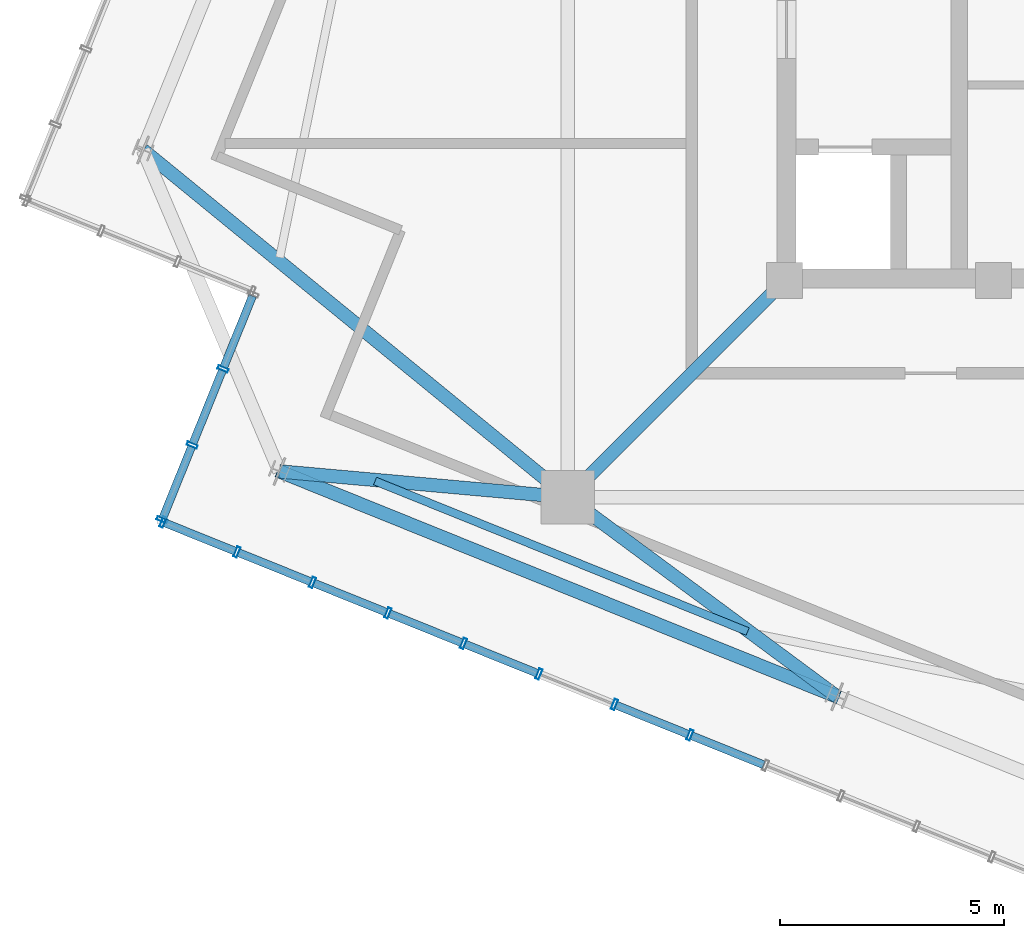
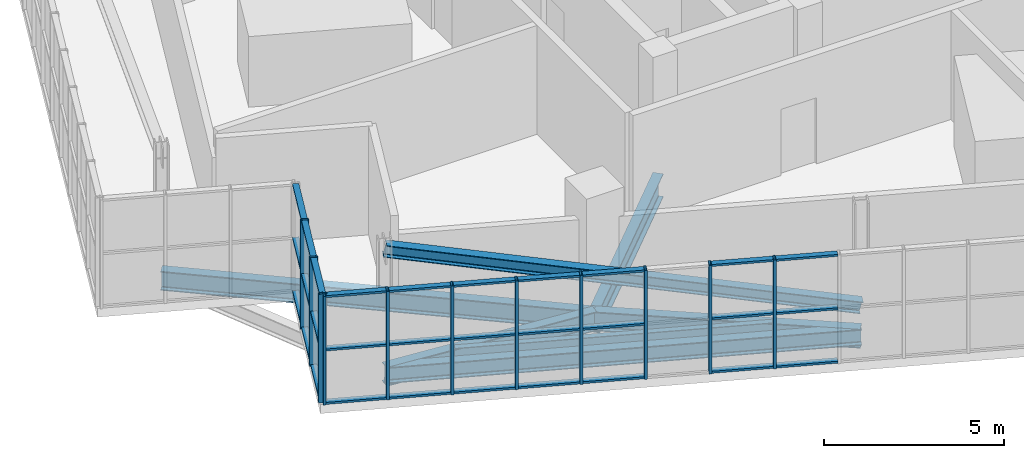
# One storey, part 3 of 26: 42 members, 6 beams, 2 elements without a shape of their own.
"""IFC4 building model written with IfcOpenShell, lengths in metres."""

from ifc_helpers import new_model, si_unit, direction, frame, origin, origin_2d, place, context, subcontext, project, spatial, hollow_rectangle, i_section, extrude, source, transform, mapped, material, layer, layer_set, material_profile, profile_set, type_object, element, aggregate, save


model = new_model("IFC4")

# Units and contexts
model_context = context("Model", 3, precision=1e-05, world=origin(), true_north=direction((0.0, 1.0)))
body_context = subcontext(model_context, "Body", "Model", "MODEL_VIEW")
ifc_project = project(units=[si_unit("LENGTHUNIT", "METRE"), si_unit("AREAUNIT", "SQUARE_METRE"), si_unit("VOLUMEUNIT", "CUBIC_METRE"), si_unit("PLANEANGLEUNIT", "RADIAN"), si_unit("MASSUNIT", "GRAM", prefix="KILO"), si_unit("THERMODYNAMICTEMPERATUREUNIT", "KELVIN")], contexts=[model_context])

# Site, building, storey
site_placement = place(None, origin())
site = spatial("IfcSite", under=ifc_project, at=site_placement, CompositionType="ELEMENT")
building_placement = place(site_placement, origin())
building = spatial("IfcBuilding", under=site, at=building_placement, Name="Kosmvard Interchange Tower", CompositionType="ELEMENT")
storey_placement = place(building_placement, frame((0.0, 0.0, 325.60009765625)))
storey = spatial("IfcBuildingStorey", under=building, at=storey_placement, Name="L80", CompositionType="ELEMENT", Elevation=325.60009765625)

# Beam
ifc_material_1 = material(Name="Steel S355", Category="steel")
ifc_material_profile_1 = material_profile(ifc_material_1, i_section(OverallWidth=0.300048828125, OverallDepth=0.800048828125, WebThickness=0.017578125, FlangeThickness=0.032958984375, FilletRadius=0.027099609375, at=origin_2d()), Name="HEB 800")
ifc_profile_set_1 = profile_set([ifc_material_profile_1], Name="Steel S355")
beam_type_1 = type_object("IfcBeamType", Name="Primary Mega-Frame Girder HEB 800 S355", PredefinedType="BEAM", material=ifc_profile_set_1)
shared_shape_1 = source(origin(), body_context, "Body", "SweptSolid", [
    extrude(i_section(OverallWidth=0.300048828125, OverallDepth=0.800048828125, WebThickness=0.017578125, FlangeThickness=0.032958984375, FilletRadius=0.027099609375, at=origin_2d()), origin(), (0.0, 0.0, 1.0), 6.83203125),
])
beam_1_placement = place(storey_placement, frame((-8.25, -8.25, -0.7001953125), z_axis=(-0.707106781187, -0.707106781187, 0.0), x_axis=(0.707106781187, -0.707106781187, 0.0)))
element("IfcBeam", 1, at=beam_1_placement, inside=storey, type_object=beam_type_1, Name="L80 Radial Mega-Frame Girder 1", PredefinedType="BEAM", context=body_context, shape_type="MappedRepresentation", body=[
    mapped(shared_shape_1, transform((0.0, 0.0, 0.0), scale=1.0)),
])

# Member
ifc_material_profile_2 = material_profile(ifc_material_1, i_section(OverallWidth=0.300048828125, OverallDepth=0.39990234375, WebThickness=0.013427734375, FlangeThickness=0.02392578125, FilletRadius=0.027099609375, at=origin_2d()), Name="HEB 400")
ifc_profile_set_2 = profile_set([ifc_material_profile_2], Name="Steel S355")
member_type_1 = type_object("IfcMemberType", Name="Lantern Crown Diagrid Brace HEB 400 S355", PredefinedType="BRACE", material=ifc_profile_set_2)
shared_shape_2 = source(origin(), body_context, "Body", "SweptSolid", [
    extrude(i_section(OverallWidth=0.300048828125, OverallDepth=0.39990234375, WebThickness=0.013427734375, FlangeThickness=0.02392578125, FilletRadius=0.027099609375, at=origin_2d()), origin(), (0.0, 0.0, 1.0), 13.78369140625),
])
member_1_placement = place(storey_placement, frame((-7.080078125, -17.523681640625, 0.419921875), z_axis=(-0.901373372792, 0.364162635972, 0.234332279859), x_axis=(-0.374592580972, -0.927189515839, 0.0)))
element("IfcMember", 2, at=member_1_placement, inside=storey, type_object=member_type_1, Name="L80 Crown Lantern Diagrid Brace W1", PredefinedType="BRACE", context=body_context, shape_type="MappedRepresentation", body=[
    mapped(shared_shape_2, transform((0.0, 0.0, 0.0), scale=1.0)),
])

# Beams
ifc_material_profile_3 = material_profile(ifc_material_1, i_section(OverallWidth=0.300048828125, OverallDepth=0.550048828125, WebThickness=0.014892578125, FlangeThickness=0.029052734375, FilletRadius=0.027099609375, at=origin_2d()), Name="HEB 550")
ifc_profile_set_3 = profile_set([ifc_material_profile_3], Name="Steel S355")
beam_type_2 = type_object("IfcBeamType", Name="Crown Ring Cap Girder HEB 550 S355", PredefinedType="BEAM", material=ifc_profile_set_3)
shared_shape_3 = source(origin(), body_context, "Body", "SweptSolid", [
    extrude(i_section(OverallWidth=0.300048828125, OverallDepth=0.550048828125, WebThickness=0.014892578125, FlangeThickness=0.029052734375, FilletRadius=0.027099609375, at=origin_2d()), origin(), (0.0, 0.0, 1.0), 13.39990234375),
])
beam_2_placement = place(storey_placement, frame((-19.50439453125, -12.504150390625, -0.5751953125), z_axis=(0.927189515839, -0.374592580972, 0.0), x_axis=(0.374592580972, 0.927189515839, 0.0)))
element("IfcBeam", 3, at=beam_2_placement, inside=storey, type_object=beam_type_2, Name="BM-L80-PR10", PredefinedType="BEAM", context=body_context, shape_type="MappedRepresentation", body=[
    mapped(shared_shape_3, transform((0.0, 0.0, 0.0), scale=1.0)),
])
ifc_material_profile_4 = material_profile(ifc_material_1, i_section(OverallWidth=0.300048828125, OverallDepth=0.64990234375, WebThickness=0.01611328125, FlangeThickness=0.031005859375, FilletRadius=0.027099609375, at=origin_2d()), Name="HEB 650")
ifc_profile_set_4 = profile_set([ifc_material_profile_4], Name="Steel S355")
beam_type_3 = type_object("IfcBeamType", Name="Primary Floor Girder HEB 650 S355", PredefinedType="BEAM", material=ifc_profile_set_4)
shared_shape_4 = source(origin(), body_context, "Body", "SweptSolid", [
    extrude(i_section(OverallWidth=0.300048828125, OverallDepth=0.64990234375, WebThickness=0.01611328125, FlangeThickness=0.031005859375, FilletRadius=0.027099609375, at=origin_2d()), origin(), (0.0, 0.0, 1.0), 6.44921875),
])
beam_3_placement = place(storey_placement, frame((-13.0810546875, -13.0810546875, -0.625), z_axis=(-0.995990982197, 0.089453694068, 0.0), x_axis=(-0.089453694068, -0.995990982197, 0.0)))
element("IfcBeam", 4, at=beam_3_placement, inside=storey, type_object=beam_type_3, Name="BM-L80-RD10", PredefinedType="BEAM", context=body_context, shape_type="MappedRepresentation", body=[
    mapped(shared_shape_4, transform((0.0, 0.0, 0.0), scale=1.0)),
])
shared_shape_5 = source(origin(), body_context, "Body", "SweptSolid", [
    extrude(i_section(OverallWidth=0.300048828125, OverallDepth=0.64990234375, WebThickness=0.01611328125, FlangeThickness=0.031005859375, FilletRadius=0.027099609375, at=origin_2d()), origin(), (0.0, 0.0, 1.0), 7.466552734375),
])
beam_4_placement = place(storey_placement, frame((-13.0810546875, -13.0810546875, -0.625), z_axis=(0.803719929879, -0.595007793491, 0.0), x_axis=(0.595007793491, 0.803719929879, 0.0)))
element("IfcBeam", 5, at=beam_4_placement, inside=storey, type_object=beam_type_3, Name="BM-L80-RD11", PredefinedType="BEAM", context=body_context, shape_type="MappedRepresentation", body=[
    mapped(shared_shape_5, transform((0.0, 0.0, 0.0), scale=1.0)),
])
shared_shape_6 = source(origin(), body_context, "Body", "SweptSolid", [
    extrude(i_section(OverallWidth=0.300048828125, OverallDepth=0.64990234375, WebThickness=0.01611328125, FlangeThickness=0.031005859375, FilletRadius=0.027099609375, at=origin_2d()), origin(), (0.0, 0.0, 1.0), 12.22265625),
])
beam_5_placement = place(storey_placement, frame((-13.0810546875, -13.0810546875, -0.625), z_axis=(-0.774163725034, 0.632985408079, 0.0), x_axis=(-0.632985408079, -0.774163725034, 0.0)))
element("IfcBeam", 6, at=beam_5_placement, inside=storey, type_object=beam_type_3, Name="BM-L80-RD09", PredefinedType="BEAM", context=body_context, shape_type="MappedRepresentation", body=[
    mapped(shared_shape_6, transform((0.0, 0.0, 0.0), scale=1.0)),
])
ifc_material_profile_5 = material_profile(ifc_material_1, i_section(OverallWidth=0.179931640625, OverallDepth=0.39990234375, WebThickness=0.008544921875, FlangeThickness=0.013427734375, FilletRadius=0.02099609375, at=origin_2d()), Name="IPE 400")
ifc_profile_set_5 = profile_set([ifc_material_profile_5], Name="Steel S355")
beam_type_4 = type_object("IfcBeamType", Name="Upper-Zone Floor Joist IPE 400 S355", PredefinedType="JOIST", material=ifc_profile_set_5)
shared_shape_7 = source(origin(), body_context, "Body", "SweptSolid", [
    extrude(i_section(OverallWidth=0.179931640625, OverallDepth=0.39990234375, WebThickness=0.008544921875, FlangeThickness=0.013427734375, FilletRadius=0.02099609375, at=origin_2d()), origin(), (0.0, 0.0, 1.0), 8.9521484375),
])
beam_6_placement = place(storey_placement, frame((-17.374755859375, -12.71875, -0.5), z_axis=(0.927194118723, -0.374581187736, 0.0), x_axis=(0.374581187736, 0.927194118723, 0.0)))
element("IfcBeam", 7, at=beam_6_placement, inside=storey, type_object=beam_type_4, Name="BM-L80-FJ07", PredefinedType="JOIST", context=body_context, shape_type="MappedRepresentation", body=[
    mapped(shared_shape_7, transform((0.0, 0.0, 0.0), scale=1.0)),
])

# Curtain wall, members
ifc_material_2 = material(Name="Architectural anodised aluminium", Category="aluminium")
ifc_layer = layer(ifc_material_2, 0.25, Name="Architectural anodised aluminium")
ifc_layer_set = layer_set([ifc_layer], Name="Architectural anodised aluminium")
curtain_wall_type = type_object("IfcCurtainWallType", Name="CW-6 Illuminated Crown Lantern Curtain Wall", PredefinedType="NOTDEFINED", material=ifc_layer_set)
curtain_wall_1_placement = place(storey_placement, origin())
curtain_wall_1 = element("IfcCurtainWall", 8, at=curtain_wall_1_placement, inside=storey, type_object=curtain_wall_type, Name="L80 Crown Lantern Glazing Face 09", PredefinedType="NOTDEFINED")
ifc_material_profile_6 = material_profile(ifc_material_2, hollow_rectangle(XDim=0.239990234375, YDim=0.080078125, WallThickness=0.006103515625, at=origin_2d()), Name="CWM 240x80x6")
ifc_profile_set_6 = profile_set([ifc_material_profile_6], Name="Architectural anodised aluminium")
member_type_2 = type_object("IfcMemberType", Name="Lantern & Observation CW Mullion 240x80 Aluminium", PredefinedType="MULLION", material=ifc_profile_set_6)
shared_shape_8 = source(origin(), body_context, "Body", "SweptSolid", [
    extrude(hollow_rectangle(XDim=0.239990234375, YDim=0.080078125, WallThickness=0.006103515625, at=origin_2d()), origin(), (0.0, 0.0, 1.0), 3.699951171875),
])
member_2_placement = place(storey_placement, frame((-20.760498046875, -10.220458984375, 0.0), z_axis=(0.0, 0.0, 1.0), x_axis=(0.927183891631, -0.374606501678, 0.0)))
member_2 = element("IfcMember", 9, at=member_2_placement, type_object=member_type_2, Name="CW-6 mullion 2", PredefinedType="MULLION", context=body_context, shape_type="MappedRepresentation", body=[
    mapped(shared_shape_8, transform((0.0, 0.0, 0.0), scale=1.0)),
])
member_3_placement = place(storey_placement, frame((-21.447265625, -11.92041015625, 0.0), z_axis=(0.0, 0.0, 1.0), x_axis=(0.927183891631, -0.374606501678, 0.0)))
member_3 = element("IfcMember", 10, at=member_3_placement, type_object=member_type_2, Name="CW-6 mullion 3", PredefinedType="MULLION", context=body_context, shape_type="MappedRepresentation", body=[
    mapped(shared_shape_8, transform((0.0, 0.0, 0.0), scale=1.0)),
])
member_4_placement = place(storey_placement, frame((-22.118896484375, -13.583251953125, 0.0), z_axis=(0.0, 0.0, 1.0), x_axis=(0.927183891631, -0.374606501678, 0.0)))
member_4 = element("IfcMember", 11, at=member_4_placement, type_object=member_type_2, Name="CW-6 mullion 4", PredefinedType="MULLION", context=body_context, shape_type="MappedRepresentation", body=[
    mapped(shared_shape_8, transform((0.0, 0.0, 0.0), scale=1.0)),
])

curtain_wall_2_placement = place(storey_placement, origin())
curtain_wall_2 = element("IfcCurtainWall", 12, at=curtain_wall_2_placement, inside=storey, type_object=curtain_wall_type, Name="L80 Crown Lantern Glazing Face 10", PredefinedType="NOTDEFINED")
member_5_placement = place(storey_placement, frame((-22.096923828125, -13.63525390625, 0.0), z_axis=(0.0, 0.0, 1.0), x_axis=(0.374606584758, 0.927183858065, 0.0)))
member_5 = element("IfcMember", 13, at=member_5_placement, type_object=member_type_2, Name="CW-6 mullion 1", PredefinedType="MULLION", context=body_context, shape_type="MappedRepresentation", body=[
    mapped(shared_shape_8, transform((0.0, 0.0, 0.0), scale=1.0)),
])
member_6_placement = place(storey_placement, frame((-20.451904296875, -14.2998046875, 0.0), z_axis=(0.0, 0.0, 1.0), x_axis=(0.374606584758, 0.927183858065, 0.0)))
member_6 = element("IfcMember", 14, at=member_6_placement, type_object=member_type_2, Name="CW-6 mullion 2", PredefinedType="MULLION", context=body_context, shape_type="MappedRepresentation", body=[
    mapped(shared_shape_8, transform((0.0, 0.0, 0.0), scale=1.0)),
])
member_7_placement = place(storey_placement, frame((-18.77001953125, -14.9794921875, 0.0), z_axis=(0.0, 0.0, 1.0), x_axis=(0.374606584758, 0.927183858065, 0.0)))
member_7 = element("IfcMember", 15, at=member_7_placement, type_object=member_type_2, Name="CW-6 mullion 3", PredefinedType="MULLION", context=body_context, shape_type="MappedRepresentation", body=[
    mapped(shared_shape_8, transform((0.0, 0.0, 0.0), scale=1.0)),
])
member_8_placement = place(storey_placement, frame((-17.087890625, -15.658935546875, 0.0), z_axis=(0.0, 0.0, 1.0), x_axis=(0.374606584758, 0.927183858065, 0.0)))
member_8 = element("IfcMember", 16, at=member_8_placement, type_object=member_type_2, Name="CW-6 mullion 4", PredefinedType="MULLION", context=body_context, shape_type="MappedRepresentation", body=[
    mapped(shared_shape_8, transform((0.0, 0.0, 0.0), scale=1.0)),
])
member_9_placement = place(storey_placement, frame((-15.40576171875, -16.338623046875, 0.0), z_axis=(0.0, 0.0, 1.0), x_axis=(0.374606584758, 0.927183858065, 0.0)))
member_9 = element("IfcMember", 17, at=member_9_placement, type_object=member_type_2, Name="CW-6 mullion 5", PredefinedType="MULLION", context=body_context, shape_type="MappedRepresentation", body=[
    mapped(shared_shape_8, transform((0.0, 0.0, 0.0), scale=1.0)),
])
member_10_placement = place(storey_placement, frame((-13.723876953125, -17.01806640625, 0.0), z_axis=(0.0, 0.0, 1.0), x_axis=(0.374606584758, 0.927183858065, 0.0)))
member_10 = element("IfcMember", 18, at=member_10_placement, type_object=member_type_2, Name="CW-6 mullion 6", PredefinedType="MULLION", context=body_context, shape_type="MappedRepresentation", body=[
    mapped(shared_shape_8, transform((0.0, 0.0, 0.0), scale=1.0)),
])
member_11_placement = place(storey_placement, frame((-12.041748046875, -17.69775390625, 0.0), z_axis=(0.0, 0.0, 1.0), x_axis=(0.374606584758, 0.927183858065, 0.0)))
member_11 = element("IfcMember", 19, at=member_11_placement, type_object=member_type_2, Name="CW-6 mullion 7", PredefinedType="MULLION", context=body_context, shape_type="MappedRepresentation", body=[
    mapped(shared_shape_8, transform((0.0, 0.0, 0.0), scale=1.0)),
])
member_12_placement = place(storey_placement, frame((-10.35986328125, -18.377197265625, 0.0), z_axis=(0.0, 0.0, 1.0), x_axis=(0.374606584758, 0.927183858065, 0.0)))
member_12 = element("IfcMember", 20, at=member_12_placement, type_object=member_type_2, Name="CW-6 mullion 8", PredefinedType="MULLION", context=body_context, shape_type="MappedRepresentation", body=[
    mapped(shared_shape_8, transform((0.0, 0.0, 0.0), scale=1.0)),
])
ifc_material_profile_7 = material_profile(ifc_material_2, hollow_rectangle(XDim=0.179931640625, YDim=0.070068359375, WallThickness=0.0048828125, at=origin_2d()), Name="CWT 180x70x5")
ifc_profile_set_7 = profile_set([ifc_material_profile_7], Name="Architectural anodised aluminium")
member_type_3 = type_object("IfcMemberType", Name="Heavy Lantern CW Transom 180x70 Aluminium", PredefinedType="USERDEFINED", material=ifc_profile_set_7)
shared_shape_9 = source(origin(), body_context, "Body", "SweptSolid", [
    extrude(hollow_rectangle(XDim=0.179931640625, YDim=0.070068359375, WallThickness=0.0048828125, at=origin_2d()), origin(), (0.0, 0.0, 1.0), 1.694091796875),
])
member_13_placement = place(storey_placement, frame((-22.059814453125, -13.650146484375, 0.034912109375), z_axis=(0.927159064032, -0.374667946298, 0.0), x_axis=(0.374667946298, 0.927159064032, 0.0)))
member_13 = element("IfcMember", 21, at=member_13_placement, type_object=member_type_3, Name="CW-6 transom 1.1", ObjectType="TRANSOM", PredefinedType="USERDEFINED", context=body_context, shape_type="MappedRepresentation", body=[
    mapped(shared_shape_9, transform((0.0, 0.0, 0.0), scale=1.0)),
])
member_14_placement = place(storey_placement, frame((-22.059814453125, -13.650146484375, 1.849853515625), z_axis=(0.927159064032, -0.374667946298, 0.0), x_axis=(0.374667946298, 0.927159064032, 0.0)))
member_14 = element("IfcMember", 22, at=member_14_placement, type_object=member_type_3, Name="CW-6 transom 1.2", ObjectType="TRANSOM", PredefinedType="USERDEFINED", context=body_context, shape_type="MappedRepresentation", body=[
    mapped(shared_shape_9, transform((0.0, 0.0, 0.0), scale=1.0)),
])
member_15_placement = place(storey_placement, frame((-22.059814453125, -13.650146484375, 3.664794921875), z_axis=(0.927159064032, -0.374667946298, 0.0), x_axis=(0.374667946298, 0.927159064032, 0.0)))
member_15 = element("IfcMember", 23, at=member_15_placement, type_object=member_type_3, Name="CW-6 transom 1.3", ObjectType="TRANSOM", PredefinedType="USERDEFINED", context=body_context, shape_type="MappedRepresentation", body=[
    mapped(shared_shape_9, transform((0.0, 0.0, 0.0), scale=1.0)),
])
shared_shape_10 = source(origin(), body_context, "Body", "SweptSolid", [
    extrude(hollow_rectangle(XDim=0.179931640625, YDim=0.070068359375, WallThickness=0.0048828125, at=origin_2d()), origin(), (0.0, 0.0, 1.0), 1.734130859375),
])
member_16_placement = place(storey_placement, frame((-20.414794921875, -14.314697265625, 0.034912109375), z_axis=(0.927179782522, -0.374616671924, 0.0), x_axis=(0.374616671924, 0.927179782522, 0.0)))
member_16 = element("IfcMember", 24, at=member_16_placement, type_object=member_type_3, Name="CW-6 transom 2.1", ObjectType="TRANSOM", PredefinedType="USERDEFINED", context=body_context, shape_type="MappedRepresentation", body=[
    mapped(shared_shape_10, transform((0.0, 0.0, 0.0), scale=1.0)),
])
member_17_placement = place(storey_placement, frame((-20.414794921875, -14.314697265625, 1.849853515625), z_axis=(0.927179782522, -0.374616671924, 0.0), x_axis=(0.374616671924, 0.927179782522, 0.0)))
member_17 = element("IfcMember", 25, at=member_17_placement, type_object=member_type_3, Name="CW-6 transom 2.2", ObjectType="TRANSOM", PredefinedType="USERDEFINED", context=body_context, shape_type="MappedRepresentation", body=[
    mapped(shared_shape_10, transform((0.0, 0.0, 0.0), scale=1.0)),
])
member_18_placement = place(storey_placement, frame((-20.414794921875, -14.314697265625, 3.664794921875), z_axis=(0.927179782522, -0.374616671924, 0.0), x_axis=(0.374616671924, 0.927179782522, 0.0)))
member_18 = element("IfcMember", 26, at=member_18_placement, type_object=member_type_3, Name="CW-6 transom 2.3", ObjectType="TRANSOM", PredefinedType="USERDEFINED", context=body_context, shape_type="MappedRepresentation", body=[
    mapped(shared_shape_10, transform((0.0, 0.0, 0.0), scale=1.0)),
])
member_19_placement = place(storey_placement, frame((-18.73291015625, -14.994384765625, 0.034912109375), z_axis=(0.927179782522, -0.374616671924, 0.0), x_axis=(0.374616671924, 0.927179782522, 0.0)))
member_19 = element("IfcMember", 27, at=member_19_placement, type_object=member_type_3, Name="CW-6 transom 3.1", ObjectType="TRANSOM", PredefinedType="USERDEFINED", context=body_context, shape_type="MappedRepresentation", body=[
    mapped(shared_shape_10, transform((0.0, 0.0, 0.0), scale=1.0)),
])
member_20_placement = place(storey_placement, frame((-18.73291015625, -14.994384765625, 1.849853515625), z_axis=(0.927179782522, -0.374616671924, 0.0), x_axis=(0.374616671924, 0.927179782522, 0.0)))
member_20 = element("IfcMember", 28, at=member_20_placement, type_object=member_type_3, Name="CW-6 transom 3.2", ObjectType="TRANSOM", PredefinedType="USERDEFINED", context=body_context, shape_type="MappedRepresentation", body=[
    mapped(shared_shape_10, transform((0.0, 0.0, 0.0), scale=1.0)),
])
member_21_placement = place(storey_placement, frame((-18.73291015625, -14.994384765625, 3.664794921875), z_axis=(0.927179782522, -0.374616671924, 0.0), x_axis=(0.374616671924, 0.927179782522, 0.0)))
member_21 = element("IfcMember", 29, at=member_21_placement, type_object=member_type_3, Name="CW-6 transom 3.3", ObjectType="TRANSOM", PredefinedType="USERDEFINED", context=body_context, shape_type="MappedRepresentation", body=[
    mapped(shared_shape_10, transform((0.0, 0.0, 0.0), scale=1.0)),
])
member_22_placement = place(storey_placement, frame((-17.05078125, -15.674072265625, 0.034912109375), z_axis=(0.927228675447, -0.374495638732, 0.0), x_axis=(0.374495638732, 0.927228675447, 0.0)))
member_22 = element("IfcMember", 30, at=member_22_placement, type_object=member_type_3, Name="CW-6 transom 4.1", ObjectType="TRANSOM", PredefinedType="USERDEFINED", context=body_context, shape_type="MappedRepresentation", body=[
    mapped(shared_shape_10, transform((0.0, 0.0, 0.0), scale=1.0)),
])
member_23_placement = place(storey_placement, frame((-17.05078125, -15.674072265625, 1.849853515625), z_axis=(0.927228675447, -0.374495638732, 0.0), x_axis=(0.374495638732, 0.927228675447, 0.0)))
member_23 = element("IfcMember", 31, at=member_23_placement, type_object=member_type_3, Name="CW-6 transom 4.2", ObjectType="TRANSOM", PredefinedType="USERDEFINED", context=body_context, shape_type="MappedRepresentation", body=[
    mapped(shared_shape_10, transform((0.0, 0.0, 0.0), scale=1.0)),
])
member_24_placement = place(storey_placement, frame((-17.05078125, -15.674072265625, 3.664794921875), z_axis=(0.927228675447, -0.374495638732, 0.0), x_axis=(0.374495638732, 0.927228675447, 0.0)))
member_24 = element("IfcMember", 32, at=member_24_placement, type_object=member_type_3, Name="CW-6 transom 4.3", ObjectType="TRANSOM", PredefinedType="USERDEFINED", context=body_context, shape_type="MappedRepresentation", body=[
    mapped(shared_shape_10, transform((0.0, 0.0, 0.0), scale=1.0)),
])
member_25_placement = place(storey_placement, frame((-15.368896484375, -16.353515625, 0.034912109375), z_axis=(0.927179782522, -0.374616671924, 0.0), x_axis=(0.374616671924, 0.927179782522, 0.0)))
member_25 = element("IfcMember", 33, at=member_25_placement, type_object=member_type_3, Name="CW-6 transom 5.1", ObjectType="TRANSOM", PredefinedType="USERDEFINED", context=body_context, shape_type="MappedRepresentation", body=[
    mapped(shared_shape_10, transform((0.0, 0.0, 0.0), scale=1.0)),
])
member_26_placement = place(storey_placement, frame((-15.368896484375, -16.353515625, 1.849853515625), z_axis=(0.927179782522, -0.374616671924, 0.0), x_axis=(0.374616671924, 0.927179782522, 0.0)))
member_26 = element("IfcMember", 34, at=member_26_placement, type_object=member_type_3, Name="CW-6 transom 5.2", ObjectType="TRANSOM", PredefinedType="USERDEFINED", context=body_context, shape_type="MappedRepresentation", body=[
    mapped(shared_shape_10, transform((0.0, 0.0, 0.0), scale=1.0)),
])
member_27_placement = place(storey_placement, frame((-15.368896484375, -16.353515625, 3.664794921875), z_axis=(0.927179782522, -0.374616671924, 0.0), x_axis=(0.374616671924, 0.927179782522, 0.0)))
member_27 = element("IfcMember", 35, at=member_27_placement, type_object=member_type_3, Name="CW-6 transom 5.3", ObjectType="TRANSOM", PredefinedType="USERDEFINED", context=body_context, shape_type="MappedRepresentation", body=[
    mapped(shared_shape_10, transform((0.0, 0.0, 0.0), scale=1.0)),
])
member_28_placement = place(storey_placement, frame((-10.32275390625, -18.392333984375, 0.034912109375), z_axis=(0.927179782522, -0.374616671924, 0.0), x_axis=(0.374616671924, 0.927179782522, 0.0)))
member_28 = element("IfcMember", 36, at=member_28_placement, type_object=member_type_3, Name="CW-6 transom 8.1", ObjectType="TRANSOM", PredefinedType="USERDEFINED", context=body_context, shape_type="MappedRepresentation", body=[
    mapped(shared_shape_10, transform((0.0, 0.0, 0.0), scale=1.0)),
])
member_29_placement = place(storey_placement, frame((-10.32275390625, -18.392333984375, 1.849853515625), z_axis=(0.927179782522, -0.374616671924, 0.0), x_axis=(0.374616671924, 0.927179782522, 0.0)))
member_29 = element("IfcMember", 37, at=member_29_placement, type_object=member_type_3, Name="CW-6 transom 8.2", ObjectType="TRANSOM", PredefinedType="USERDEFINED", context=body_context, shape_type="MappedRepresentation", body=[
    mapped(shared_shape_10, transform((0.0, 0.0, 0.0), scale=1.0)),
])
member_30_placement = place(storey_placement, frame((-10.32275390625, -18.392333984375, 3.664794921875), z_axis=(0.927179782522, -0.374616671924, 0.0), x_axis=(0.374616671924, 0.927179782522, 0.0)))
member_30 = element("IfcMember", 38, at=member_30_placement, type_object=member_type_3, Name="CW-6 transom 8.3", ObjectType="TRANSOM", PredefinedType="USERDEFINED", context=body_context, shape_type="MappedRepresentation", body=[
    mapped(shared_shape_10, transform((0.0, 0.0, 0.0), scale=1.0)),
])
shared_shape_11 = source(origin(), body_context, "Body", "SweptSolid", [
    extrude(hollow_rectangle(XDim=0.179931640625, YDim=0.070068359375, WallThickness=0.0048828125, at=origin_2d()), origin(), (0.0, 0.0, 1.0), 1.73388671875),
])
member_31_placement = place(storey_placement, frame((-12.004638671875, -17.712646484375, 0.034912109375), z_axis=(0.927160021861, -0.374665576032, 0.0), x_axis=(0.374665576032, 0.927160021861, 0.0)))
member_31 = element("IfcMember", 39, at=member_31_placement, type_object=member_type_3, Name="CW-6 transom 7.1", ObjectType="TRANSOM", PredefinedType="USERDEFINED", context=body_context, shape_type="MappedRepresentation", body=[
    mapped(shared_shape_11, transform((0.0, 0.0, 0.0), scale=1.0)),
])
member_32_placement = place(storey_placement, frame((-12.004638671875, -17.712646484375, 1.849853515625), z_axis=(0.927160021861, -0.374665576032, 0.0), x_axis=(0.374665576032, 0.927160021861, 0.0)))
member_32 = element("IfcMember", 40, at=member_32_placement, type_object=member_type_3, Name="CW-6 transom 7.2", ObjectType="TRANSOM", PredefinedType="USERDEFINED", context=body_context, shape_type="MappedRepresentation", body=[
    mapped(shared_shape_11, transform((0.0, 0.0, 0.0), scale=1.0)),
])
member_33_placement = place(storey_placement, frame((-12.004638671875, -17.712646484375, 3.664794921875), z_axis=(0.927160021861, -0.374665576032, 0.0), x_axis=(0.374665576032, 0.927160021861, 0.0)))
member_33 = element("IfcMember", 41, at=member_33_placement, type_object=member_type_3, Name="CW-6 transom 7.3", ObjectType="TRANSOM", PredefinedType="USERDEFINED", context=body_context, shape_type="MappedRepresentation", body=[
    mapped(shared_shape_11, transform((0.0, 0.0, 0.0), scale=1.0)),
])
aggregate(curtain_wall_2, [member_5, member_6, member_7, member_8, member_9, member_10, member_11, member_12, member_13, member_14, member_15, member_16, member_17, member_18, member_19, member_20, member_21, member_22, member_23, member_24, member_25, member_26, member_27, member_31, member_32, member_33, member_28, member_29, member_30])

# Member
shared_shape_12 = source(origin(), body_context, "Body", "SweptSolid", [
    extrude(hollow_rectangle(XDim=0.179931640625, YDim=0.070068359375, WallThickness=0.0048828125, at=origin_2d()), origin(), (0.0, 0.0, 1.0), 1.71337890625),
])
member_34_placement = place(storey_placement, frame((-20.103515625, -8.594970703125, 0.034912109375), z_axis=(-0.374606758599, -0.927183787829, 0.0), x_axis=(0.927183787829, -0.374606758599, 0.0)))
member_34 = element("IfcMember", 42, at=member_34_placement, type_object=member_type_3, Name="CW-6 transom 1.1", ObjectType="TRANSOM", PredefinedType="USERDEFINED", context=body_context, shape_type="MappedRepresentation", body=[
    mapped(shared_shape_12, transform((0.0, 0.0, 0.0), scale=1.0)),
])

member_35_placement = place(storey_placement, frame((-20.103515625, -8.594970703125, 1.849853515625), z_axis=(-0.374606758599, -0.927183787829, 0.0), x_axis=(0.927183787829, -0.374606758599, 0.0)))
member_35 = element("IfcMember", 43, at=member_35_placement, type_object=member_type_3, Name="CW-6 transom 1.2", ObjectType="TRANSOM", PredefinedType="USERDEFINED", context=body_context, shape_type="MappedRepresentation", body=[
    mapped(shared_shape_12, transform((0.0, 0.0, 0.0), scale=1.0)),
])

member_36_placement = place(storey_placement, frame((-20.103515625, -8.594970703125, 3.664794921875), z_axis=(-0.374606758599, -0.927183787829, 0.0), x_axis=(0.927183787829, -0.374606758599, 0.0)))
member_36 = element("IfcMember", 44, at=member_36_placement, type_object=member_type_3, Name="CW-6 transom 1.3", ObjectType="TRANSOM", PredefinedType="USERDEFINED", context=body_context, shape_type="MappedRepresentation", body=[
    mapped(shared_shape_12, transform((0.0, 0.0, 0.0), scale=1.0)),
])

member_37_placement = place(storey_placement, frame((-21.462158203125, -11.95751953125, 0.034912109375), z_axis=(-0.374606758599, -0.927183787829, 0.0), x_axis=(0.927183787829, -0.374606758599, 0.0)))
member_37 = element("IfcMember", 45, at=member_37_placement, type_object=member_type_3, Name="CW-6 transom 3.1", ObjectType="TRANSOM", PredefinedType="USERDEFINED", context=body_context, shape_type="MappedRepresentation", body=[
    mapped(shared_shape_12, transform((0.0, 0.0, 0.0), scale=1.0)),
])

member_38_placement = place(storey_placement, frame((-21.462158203125, -11.95751953125, 1.849853515625), z_axis=(-0.374606758599, -0.927183787829, 0.0), x_axis=(0.927183787829, -0.374606758599, 0.0)))
member_38 = element("IfcMember", 46, at=member_38_placement, type_object=member_type_3, Name="CW-6 transom 3.2", ObjectType="TRANSOM", PredefinedType="USERDEFINED", context=body_context, shape_type="MappedRepresentation", body=[
    mapped(shared_shape_12, transform((0.0, 0.0, 0.0), scale=1.0)),
])

member_39_placement = place(storey_placement, frame((-21.462158203125, -11.95751953125, 3.664794921875), z_axis=(-0.374606758599, -0.927183787829, 0.0), x_axis=(0.927183787829, -0.374606758599, 0.0)))
member_39 = element("IfcMember", 47, at=member_39_placement, type_object=member_type_3, Name="CW-6 transom 3.3", ObjectType="TRANSOM", PredefinedType="USERDEFINED", context=body_context, shape_type="MappedRepresentation", body=[
    mapped(shared_shape_12, transform((0.0, 0.0, 0.0), scale=1.0)),
])

shared_shape_13 = source(origin(), body_context, "Body", "SweptSolid", [
    extrude(hollow_rectangle(XDim=0.179931640625, YDim=0.070068359375, WallThickness=0.0048828125, at=origin_2d()), origin(), (0.0, 0.0, 1.0), 1.75341796875),
])
member_40_placement = place(storey_placement, frame((-20.775390625, -10.257568359375, 0.034912109375), z_axis=(-0.37455743912, -0.927203712676, 0.0), x_axis=(0.927203712676, -0.37455743912, 0.0)))
member_40 = element("IfcMember", 48, at=member_40_placement, type_object=member_type_3, Name="CW-6 transom 2.1", ObjectType="TRANSOM", PredefinedType="USERDEFINED", context=body_context, shape_type="MappedRepresentation", body=[
    mapped(shared_shape_13, transform((0.0, 0.0, 0.0), scale=1.0)),
])

member_41_placement = place(storey_placement, frame((-20.775390625, -10.257568359375, 1.849853515625), z_axis=(-0.37455743912, -0.927203712676, 0.0), x_axis=(0.927203712676, -0.37455743912, 0.0)))
member_41 = element("IfcMember", 49, at=member_41_placement, type_object=member_type_3, Name="CW-6 transom 2.2", ObjectType="TRANSOM", PredefinedType="USERDEFINED", context=body_context, shape_type="MappedRepresentation", body=[
    mapped(shared_shape_13, transform((0.0, 0.0, 0.0), scale=1.0)),
])

member_42_placement = place(storey_placement, frame((-20.775390625, -10.257568359375, 3.664794921875), z_axis=(-0.37455743912, -0.927203712676, 0.0), x_axis=(0.927203712676, -0.37455743912, 0.0)))
member_42 = element("IfcMember", 50, at=member_42_placement, type_object=member_type_3, Name="CW-6 transom 2.3", ObjectType="TRANSOM", PredefinedType="USERDEFINED", context=body_context, shape_type="MappedRepresentation", body=[
    mapped(shared_shape_13, transform((0.0, 0.0, 0.0), scale=1.0)),
])

aggregate(curtain_wall_1, [member_2, member_3, member_4, member_34, member_35, member_36, member_40, member_41, member_42, member_37, member_38, member_39])

save(model, "model.ifc")
